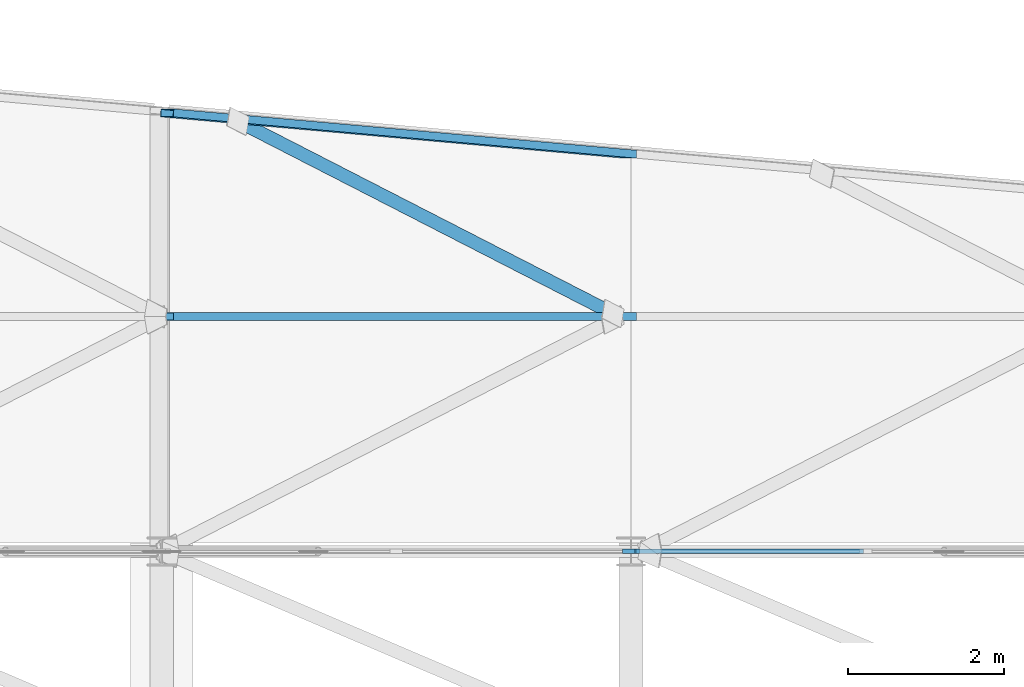
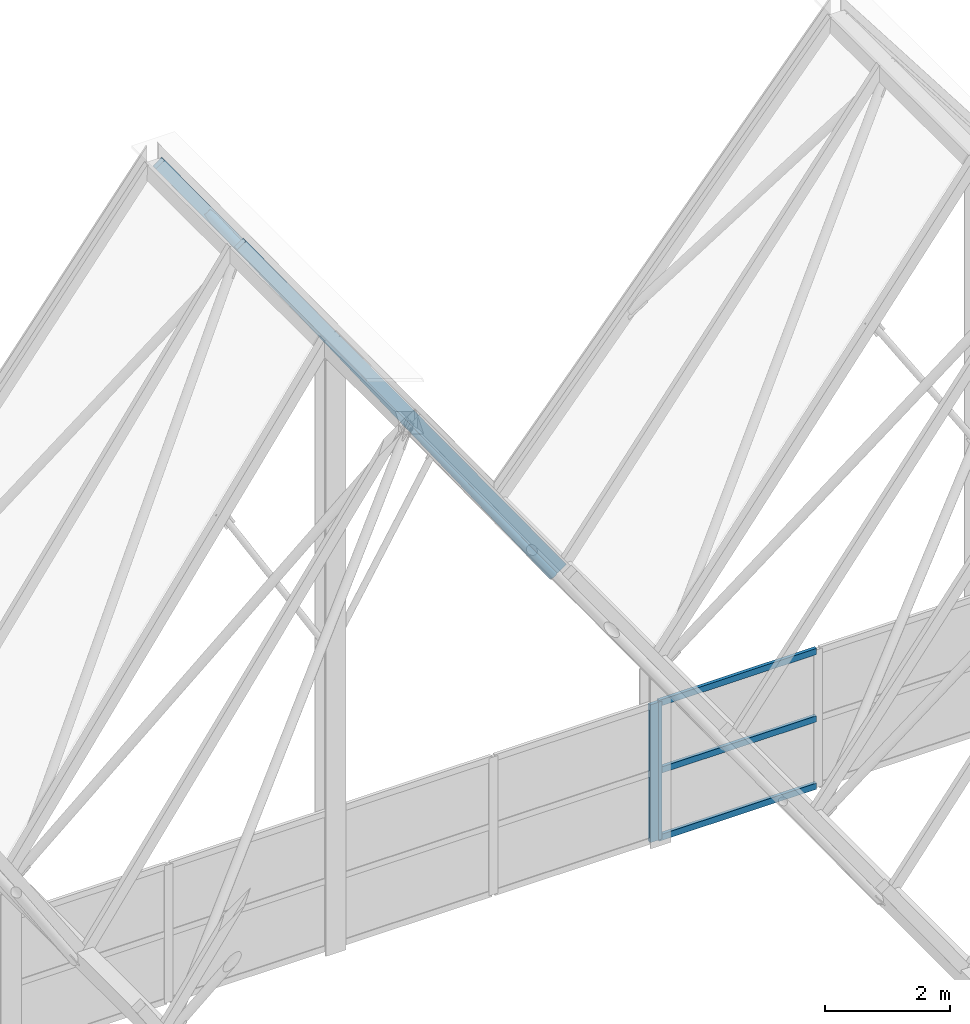
# One storey, part 24 of 483: 7 members, 1 beam, 2 elements without a shape of their own.
"""IFC4 building model written with IfcOpenShell, lengths in metres."""

from ifc_helpers import new_model, si_unit, direction, frame, origin, origin_2d, place, context, subcontext, project, spatial, rectangle, hollow_rectangle, hollow_circle, extrude, material, material_profile, profile_set, type_object, element, aggregate, save


model = new_model("IFC4")

# Units and contexts
model_context = context("Model", 3, precision=1e-05, world=origin(), true_north=direction((0.0, 1.0)))
body_context = subcontext(model_context, "Body", "Model", "MODEL_VIEW")
ifc_project = project(units=[si_unit("LENGTHUNIT", "METRE"), si_unit("AREAUNIT", "SQUARE_METRE"), si_unit("VOLUMEUNIT", "CUBIC_METRE"), si_unit("PLANEANGLEUNIT", "RADIAN"), si_unit("MASSUNIT", "GRAM", prefix="KILO")], contexts=[model_context])

# Site, building, storey
site_placement = place(None, origin())
site = spatial("IfcSite", under=ifc_project, at=site_placement, CompositionType="ELEMENT")
building_placement = place(site_placement, origin())
building = spatial("IfcBuilding", under=site, at=building_placement, Name="Parallax Yard Mobility Hub", CompositionType="ELEMENT")
storey_placement = place(building_placement, frame((0.0, 0.0, 13.199951171875)))
storey = spatial("IfcBuildingStorey", under=building, at=storey_placement, Name="L04", CompositionType="ELEMENT", Elevation=13.199951171875)

# Curtain wall, member
ifc_material_1 = material(Name="Thermally broken aluminium curtain wall system", Category="aluminium")
curtain_wall_type = type_object("IfcCurtainWallType", Name="Curtain wall run 60 x 160 frame", PredefinedType="NOTDEFINED", material=ifc_material_1)
curtain_wall_1_placement = place(storey_placement, origin())
curtain_wall_1 = element("IfcCurtainWall", 1, at=curtain_wall_1_placement, inside=storey, type_object=curtain_wall_type, Name="Glazed gable end Bus and taxi deck north gable bay 10 level L04", PredefinedType="NOTDEFINED")
ifc_material_2 = material(Name="Extruded aluminium", Category="aluminium")
ifc_material_profile_1 = material_profile(ifc_material_2, rectangle(XDim=0.06005859375, YDim=0.159912109375, at=origin_2d()), Name="Mullion 60 x 160")
ifc_profile_set_1 = profile_set([ifc_material_profile_1], Name="Extruded aluminium")
member_type_1 = type_object("IfcMemberType", Name="Mullion 60 x 160", PredefinedType="MULLION", material=ifc_profile_set_1)
member_1_placement = place(storey_placement, frame((68.969970703125, 52.5, 0.0), z_axis=(0.0, 0.0, 1.0), x_axis=(0.0, 1.0, 0.0)))
member_1 = element("IfcMember", 2, at=member_1_placement, type_object=member_type_1, Name="CW1 mullion 3", PredefinedType="MULLION", context=body_context, shape_type="SweptSolid", body=[
    extrude(rectangle(XDim=0.06005859375, YDim=0.159912109375, at=origin_2d()), origin(), (0.0, 0.0, 1.0), 2.68994140625),
])
aggregate(curtain_wall_1, [member_1])

curtain_wall_2_placement = place(storey_placement, origin())
curtain_wall_2 = element("IfcCurtainWall", 3, at=curtain_wall_2_placement, inside=storey, type_object=curtain_wall_type, Name="Glazed gable end Bus and taxi deck north gable bay 11 level L04", PredefinedType="NOTDEFINED")
member_2_placement = place(storey_placement, frame((69.030029296875, 52.5, 0.0), z_axis=(0.0, 0.0, 1.0), x_axis=(0.0, 1.0, 0.0)))
member_2 = element("IfcMember", 4, at=member_2_placement, type_object=member_type_1, Name="CW1 mullion 1", PredefinedType="MULLION", context=body_context, shape_type="SweptSolid", body=[
    extrude(rectangle(XDim=0.06005859375, YDim=0.159912109375, at=origin_2d()), origin(), (0.0, 0.0, 1.0), 2.68994140625),
])

# Member
ifc_material_3 = material(Name="Steel ASTM A500 Gr C", Category="steel")
ifc_material_profile_2 = material_profile(ifc_material_3, hollow_circle(Radius=0.084228515625, WallThickness=0.007080078125, at=origin_2d()), Name="HSS168.3x7.1")
ifc_profile_set_2 = profile_set([ifc_material_profile_2], Name="Steel ASTM A500 Gr C")
member_type_2 = type_object("IfcMemberType", Name="Plate diagonal HSS168.3x7.1", PredefinedType="BRACE", material=ifc_profile_set_2)
member_3_placement = place(storey_placement, frame((68.84765625, 55.5, 3.4111328125), z_axis=(-0.538732079602, 0.276371018976, 0.795856021073), x_axis=(-0.456445000546, -0.889751629095, 0.0)))
element("IfcMember", 5, at=member_3_placement, inside=storey, type_object=member_type_2, Name="Plate diagonal plate F10-F11 bay 20", PredefinedType="BRACE", context=body_context, shape_type="SweptSolid", body=[
    extrude(hollow_circle(Radius=0.084228515625, WallThickness=0.007080078125, at=origin_2d()), origin(), (0.0, 0.0, 1.0), 9.18359375),
])

# Beam
ifc_material_profile_3 = material_profile(ifc_material_3, hollow_rectangle(XDim=0.1015625, YDim=0.203125, WallThickness=0.00634765625, at=origin_2d()), Name="HSS203x102x6.4")
ifc_profile_set_3 = profile_set([ifc_material_profile_3], Name="Steel ASTM A500 Gr C")
beam_type = type_object("IfcBeamType", Name="Roof edge beam HSS203x102x6.4", PredefinedType="SPANDREL", material=ifc_profile_set_3)
beam_placement = place(storey_placement, frame((63.0693359375, 58.10498046875, 11.8974609375), z_axis=(0.575770646573, -0.0514034275, -0.815993780728), x_axis=(0.029630566892, 0.998677969919, -0.042004070098)))
element("IfcBeam", 6, at=beam_placement, inside=storey, type_object=beam_type, Name="Edge beam plate F10-F11 north prow edge", PredefinedType="SPANDREL", context=body_context, shape_type="SweptSolid", body=[
    extrude(hollow_rectangle(XDim=0.1015625, YDim=0.203125, WallThickness=0.00634765625, at=origin_2d()), origin(), (0.0, 0.0, 1.0), 10.27783203125),
])

# Member
ifc_material_profile_4 = material_profile(ifc_material_3, hollow_rectangle(XDim=0.1015625, YDim=0.203125, WallThickness=0.00634765625, at=origin_2d()), Name="HSS203x102x6.4")
ifc_profile_set_4 = profile_set([ifc_material_profile_4], Name="Steel ASTM A500 Gr C")
member_type_3 = type_object("IfcMemberType", Name="Roof rafter HSS203x102x6.4", PredefinedType="RAFTER", material=ifc_profile_set_4)
member_4_placement = place(storey_placement, frame((63.0693359375, 55.5, 11.8974609375), z_axis=(0.576532840319, 0.0, -0.817073977088), x_axis=(0.0, 1.0, 0.0)))
element("IfcMember", 7, at=member_4_placement, inside=storey, type_object=member_type_3, Name="Roof rafter plate F10-F11 at y 55.5", PredefinedType="RAFTER", context=body_context, shape_type="SweptSolid", body=[
    extrude(hollow_rectangle(XDim=0.1015625, YDim=0.203125, WallThickness=0.00634765625, at=origin_2d()), origin(), (0.0, 0.0, 1.0), 10.264404296875),
])

ifc_material_profile_5 = material_profile(ifc_material_2, rectangle(XDim=0.06005859375, YDim=0.1201171875, at=origin_2d()), Name="Transom 60 x 120")
ifc_profile_set_5 = profile_set([ifc_material_profile_5], Name="Extruded aluminium")
member_type_4 = type_object("IfcMemberType", Name="Transom 60 x 120", PredefinedType="USERDEFINED", material=ifc_profile_set_5)
member_5_placement = place(storey_placement, frame((69.06005859375, 52.5, 0.030029296875), z_axis=(1.0, 0.0, 0.0), x_axis=(0.0, 1.0, 0.0)))
member_5 = element("IfcMember", 8, at=member_5_placement, type_object=member_type_4, Name="CW1 transom 1.1", ObjectType="TRANSOM", PredefinedType="USERDEFINED", context=body_context, shape_type="SweptSolid", body=[
    extrude(rectangle(XDim=0.06005859375, YDim=0.1201171875, at=origin_2d()), origin(), (0.0, 0.0, 1.0), 2.909912109375),
])

member_6_placement = place(storey_placement, frame((69.06005859375, 52.5, 1.344970703125), z_axis=(1.0, 0.0, 0.0), x_axis=(0.0, 1.0, 0.0)))
member_6 = element("IfcMember", 9, at=member_6_placement, type_object=member_type_4, Name="CW1 transom 1.2", ObjectType="TRANSOM", PredefinedType="USERDEFINED", context=body_context, shape_type="SweptSolid", body=[
    extrude(rectangle(XDim=0.06005859375, YDim=0.1201171875, at=origin_2d()), origin(), (0.0, 0.0, 1.0), 2.909912109375),
])

member_7_placement = place(storey_placement, frame((69.06005859375, 52.5, 2.66015625), z_axis=(1.0, 0.0, 0.0), x_axis=(0.0, 1.0, 0.0)))
member_7 = element("IfcMember", 10, at=member_7_placement, type_object=member_type_4, Name="CW1 transom 1.3", ObjectType="TRANSOM", PredefinedType="USERDEFINED", context=body_context, shape_type="SweptSolid", body=[
    extrude(rectangle(XDim=0.06005859375, YDim=0.1201171875, at=origin_2d()), origin(), (0.0, 0.0, 1.0), 2.909912109375),
])

aggregate(curtain_wall_2, [member_2, member_5, member_6, member_7])

save(model, "model.ifc")
